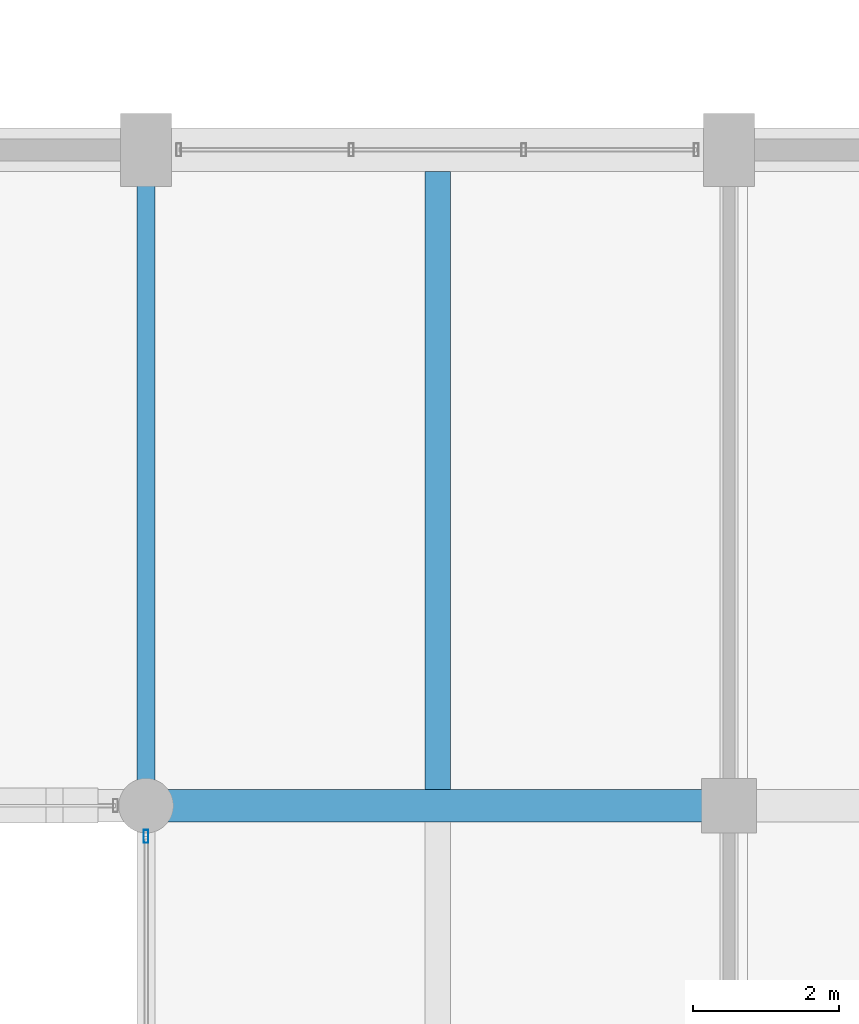
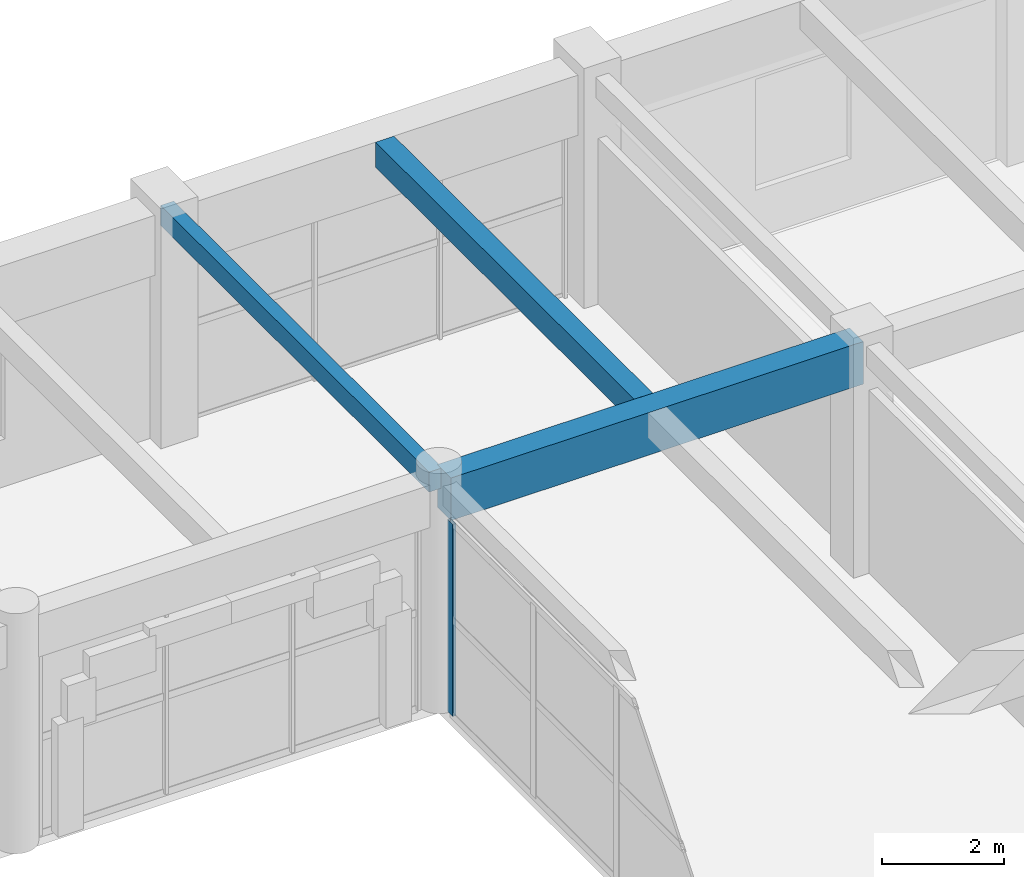
# One storey, part 81 of 144: 3 beams, 1 member, 1 element without a shape of its own.
"""IFC4 building model written with IfcOpenShell, lengths in metres."""

import ifcopenshell
import ifcopenshell.guid

model = None  # the IFC model being written
_history = None  # IfcOwnerHistory: only IFC2X3 demands one
_inside = {}  # id of a spatial element -> (the spatial element, [elements in it])
_under = {}  # id of a project, library or spatial element -> (it, [spatial elements below it])
_declared = {}  # id of a project -> (the project, [libraries it declares])
_typed = {}  # id of a type object -> (the type object, [elements of that type])
_made_of = {}  # id of a material, layer set ... -> (it, [elements and type objects made of it])


def new_model(schema):
    """Start an empty IFC model of exactly this schema.

    Asked for "IFC4X3", IfcOpenShell would pick the latest addendum, in which some entities
    have other attributes; the version numbers below select the first issue.
    IFC2X3 requires an IfcOwnerHistory on every rooted entity: one is made here for all.
    """
    global model, _history
    if schema == "IFC4X3":
        model = ifcopenshell.file(schema_version=(4, 3, 0, 0))
    else:
        model = ifcopenshell.file(schema=schema)
    _inside.clear()
    _under.clear()
    _declared.clear()
    _typed.clear()
    _made_of.clear()
    _history = None
    if model.schema == "IFC2X3":
        org = make("IfcOrganization", Name="unknown")
        user = make(
            "IfcPersonAndOrganization",
            ThePerson=make("IfcPerson", FamilyName="unknown"),
            TheOrganization=org,
        )
        app = make(
            "IfcApplication",
            ApplicationDeveloper=org,
            Version="unknown",
            ApplicationFullName="unknown",
            ApplicationIdentifier="unknown",
        )
        _history = make(
            "IfcOwnerHistory",
            OwningUser=user,
            OwningApplication=app,
            ChangeAction="ADDED",
            CreationDate=0,
        )
    return model


def make(cls, **values):
    """One entity of the class cls with the attributes given. An attribute that is None is left unset."""
    return model.create_entity(
        cls, **{name: value for name, value in values.items() if value is not None}
    )


def rooted(cls, **values):
    """An entity with a GlobalId (a new one), such as an element, a storey or a relation."""
    return make(cls, GlobalId=ifcopenshell.guid.new(), OwnerHistory=_history, **values)


def si_unit(unit_type, name, prefix=None):
    """IfcSIUnit, for example si_unit("LENGTHUNIT", "METRE", prefix="MILLI")."""
    return make("IfcSIUnit", UnitType=unit_type, Prefix=prefix, Name=name)


def assignment(units):
    """IfcUnitAssignment: the units of a project."""
    return None if units is None else make("IfcUnitAssignment", Units=units)


def point(xyz):
    """IfcCartesianPoint."""
    return None if xyz is None else make("IfcCartesianPoint", Coordinates=xyz)


def direction(xyz):
    """IfcDirection."""
    return None if xyz is None else make("IfcDirection", DirectionRatios=xyz)


def frame(location, z_axis=None, x_axis=None):
    """IfcAxis2Placement3D, a coordinate frame: its origin and axes. An axis left out is left unset."""
    return make(
        "IfcAxis2Placement3D",
        Location=point(location),
        Axis=direction(z_axis),
        RefDirection=direction(x_axis),
    )


def frame_2d(location, x_axis=None):
    """IfcAxis2Placement2D, a coordinate frame in the plane: its origin and x axis."""
    return make(
        "IfcAxis2Placement2D", Location=point(location), RefDirection=direction(x_axis)
    )


def origin():
    """The frame at (0, 0, 0) with its axes left unset."""
    return frame((0.0, 0.0, 0.0))


def origin_2d():
    """The frame at (0, 0) in the plane with its x axis left unset."""
    return frame_2d((0.0, 0.0))


def place(relative_to, where):
    """IfcLocalPlacement: puts the frame where relative to a parent placement (None: the world)."""
    return make(
        "IfcLocalPlacement", PlacementRelTo=relative_to, RelativePlacement=where
    )


def context(
    kind, dimensions, precision=None, world=None, true_north=None, identifier=None
):
    """IfcGeometricRepresentationContext, for example the 3D "Model" context."""
    return make(
        "IfcGeometricRepresentationContext",
        ContextIdentifier=identifier,
        ContextType=kind,
        CoordinateSpaceDimension=dimensions,
        Precision=precision,
        WorldCoordinateSystem=world,
        TrueNorth=true_north,
    )


def subcontext(parent, identifier, kind, view, scale=None):
    """IfcGeometricRepresentationSubContext, for example "Body" below "Model"."""
    return make(
        "IfcGeometricRepresentationSubContext",
        ContextIdentifier=identifier,
        ContextType=kind,
        ParentContext=parent,
        TargetScale=scale,
        TargetView=view,
    )


def project(units=None, contexts=None):
    """IfcProject with its units and contexts."""
    return rooted(
        "IfcProject",
        Name="project",
        RepresentationContexts=contexts,
        UnitsInContext=assignment(units),
    )


def spatial(cls, under=None, at=None, **own):
    """A site, building, storey or space (cls), placed at a placement, below another one or the project."""
    s = rooted(cls, ObjectPlacement=at, **own)
    if under is not None:
        _under.setdefault(under.id(), (under, []))[1].append(s)
    return s


def profile(cls, at=None, kind="AREA", **sizes):
    """A parametric profile (cls). Its sizes go by their IFC names, for example OverallWidth=200.0."""
    return make(cls, ProfileType=kind, Position=at, **sizes)


def rectangle(**sizes):
    """IfcRectangleProfileDef."""
    return profile("IfcRectangleProfileDef", **sizes)


def hollow_rectangle(**sizes):
    """IfcRectangleHollowProfileDef."""
    return profile("IfcRectangleHollowProfileDef", **sizes)


def extrude(swept, where, along, depth):
    """IfcExtrudedAreaSolid: the profile swept, set in the frame where, extruded along a direction by depth."""
    return make(
        "IfcExtrudedAreaSolid",
        SweptArea=swept,
        Position=where,
        ExtrudedDirection=direction(along),
        Depth=depth,
    )


def shape(context_of_items, identifier, shape_type, items):
    """IfcShapeRepresentation: the items that make up one representation, for example the "Body"."""
    return make(
        "IfcShapeRepresentation",
        ContextOfItems=context_of_items,
        RepresentationIdentifier=identifier,
        RepresentationType=shape_type,
        Items=items,
    )


def material(Name=None, Category=None):
    """IfcMaterial."""
    return make("IfcMaterial", Name=Name, Category=Category)


def material_profile(
    of_material, cross_section, Name=None, Category=None, Priority=None
):
    """IfcMaterialProfile: a cross section and its material."""
    return make(
        "IfcMaterialProfile",
        Name=Name,
        Material=of_material,
        Profile=cross_section,
        Priority=Priority,
        Category=Category,
    )


def profile_set(profiles, Name=None, composite=None):
    """IfcMaterialProfileSet."""
    return make(
        "IfcMaterialProfileSet",
        Name=Name,
        MaterialProfiles=profiles,
        CompositeProfile=composite,
    )


def made_of(thing, what):
    """Note that an element or type object is made of a material, layer set ...; save() writes the relation."""
    if what is not None:
        _made_of.setdefault(what.id(), (what, []))[1].append(thing)
    return thing


def type_object(cls, material=None, **own):
    """A type object (cls), such as IfcWallType, which elements share."""
    return made_of(rooted(cls, **own), material)


def element(
    cls,
    number,
    at=None,
    inside=None,
    cuts=None,
    type_object=None,
    material=None,
    context=None,
    identifier="Body",
    shape_type=None,
    held_by="IfcProductDefinitionShape",
    body=None,
    shapes=None,
    **own,
):
    """One element of the class cls, such as IfcWall. Its Tag is "e" and its number.

    at: its placement. inside: the storey or other place that contains it. cuts: it is an
    opening in that element (IfcRelVoidsElement). A single representation is given by context,
    identifier, shape_type and body (its items); several are given by shapes. held_by: the class
    of the entity that holds the representations. save() writes the other relations.
    """
    e = rooted(cls, Tag="e%d" % number, ObjectPlacement=at, **own)
    if body is not None:
        shapes = [shape(context, identifier, shape_type, body)]
    if shapes is not None:
        e.Representation = make(held_by, Representations=shapes)
    if inside is not None:
        _inside.setdefault(inside.id(), (inside, []))[1].append(e)
    if cuts is not None:
        rooted(
            "IfcRelVoidsElement", RelatingBuildingElement=cuts, RelatedOpeningElement=e
        )
    if type_object is not None:
        _typed.setdefault(type_object.id(), (type_object, []))[1].append(e)
    return made_of(e, material)


def aggregate(whole, parts):
    """IfcRelAggregates: a whole, such as a stair, and the parts it consists of."""
    return rooted("IfcRelAggregates", RelatingObject=whole, RelatedObjects=parts)


def save(model, path):
    """Write the relations noted so far, then the file.

    IfcRelAggregates (storeys below a building ...), IfcRelContainedInSpatialStructure (elements
    in a storey), IfcRelDefinesByType, IfcRelAssociatesMaterial and IfcRelDeclares: one each for
    every whole, place, type object, material and project.
    """
    for whole, parts in _under.values():
        aggregate(whole, parts)
    for where, things in _inside.values():
        rooted(
            "IfcRelContainedInSpatialStructure",
            RelatedElements=things,
            RelatingStructure=where,
        )
    for kind, things in _typed.values():
        rooted("IfcRelDefinesByType", RelatedObjects=things, RelatingType=kind)
    for what, things in _made_of.values():
        rooted("IfcRelAssociatesMaterial", RelatedObjects=things, RelatingMaterial=what)
    for by, libraries in _declared.values():
        rooted("IfcRelDeclares", RelatingContext=by, RelatedDefinitions=libraries)
    model.write(path)


model = new_model("IFC4")

# Units and contexts
model_context = context("Model", 3, precision=1e-05, world=origin(), true_north=direction((0.0, 1.0)))
body_context = subcontext(model_context, "Body", "Model", "MODEL_VIEW")
ifc_project = project(units=[si_unit("LENGTHUNIT", "METRE"), si_unit("AREAUNIT", "SQUARE_METRE"), si_unit("VOLUMEUNIT", "CUBIC_METRE"), si_unit("PLANEANGLEUNIT", "RADIAN"), si_unit("MASSUNIT", "GRAM", prefix="KILO")], contexts=[model_context])

# Site, building, storey
site_placement = place(None, origin())
site = spatial("IfcSite", under=ifc_project, at=site_placement, CompositionType="ELEMENT")
building_placement = place(site_placement, origin())
building = spatial("IfcBuilding", under=site, at=building_placement, Name="Varnabhumi Central Station", CompositionType="ELEMENT")
storey_placement = place(building_placement, frame((0.0, 0.0, 4.800048828125)))
storey = spatial("IfcBuildingStorey", under=building, at=storey_placement, Name="L01", CompositionType="ELEMENT", Elevation=4.800048828125)

# Beams
ifc_material_1 = material(Name="Concrete M35", Category="concrete")
ifc_material_profile_1 = material_profile(ifc_material_1, rectangle(XDim=0.25, YDim=0.39990234375, at=origin_2d()), Name="Concrete M35", Category="concrete")
ifc_profile_set_1 = profile_set([ifc_material_profile_1], Name="Concrete M35")
beam_type_1 = type_object("IfcBeamType", Name="BM-RC-250x400", PredefinedType="LINTEL", material=ifc_profile_set_1)
beam_1_placement = place(storey_placement, frame((144.0, 27.10009765625, 4.349853515625), z_axis=(0.0, 1.0, 0.0), x_axis=(-1.0, 0.0, 0.0)))
element("IfcBeam", 1, at=beam_1_placement, inside=storey, type_object=beam_type_1, Name="Beam L01-19:D-E", PredefinedType="LINTEL", context=body_context, shape_type="SweptSolid", body=[
    extrude(rectangle(XDim=0.25, YDim=0.39990234375, at=origin_2d()), origin(), (0.0, 0.0, 1.0), 8.7998046875),
])
ifc_material_2 = material(Name="Concrete M40", Category="concrete")
ifc_material_profile_2 = material_profile(ifc_material_2, rectangle(XDim=0.35009765625, YDim=0.5, at=origin_2d()), Name="Concrete M40", Category="concrete")
ifc_profile_set_2 = profile_set([ifc_material_profile_2], Name="Concrete M40")
beam_type_2 = type_object("IfcBeamType", Name="BM-RC-350x500", PredefinedType="JOIST", material=ifc_profile_set_2)
beam_2_placement = place(storey_placement, frame((148.0, 27.22509765625, 4.300048828125), z_axis=(0.0, 1.0, 0.0), x_axis=(-1.0, 0.0, 0.0)))
element("IfcBeam", 2, at=beam_2_placement, inside=storey, type_object=beam_type_2, Name="Secondary Joist L01-19/20:D-E", PredefinedType="JOIST", context=body_context, shape_type="SweptSolid", body=[
    extrude(rectangle(XDim=0.35009765625, YDim=0.5, at=origin_2d()), origin(), (0.0, 0.0, 1.0), 8.474853515625),
])
ifc_material_profile_3 = material_profile(ifc_material_2, rectangle(XDim=0.449951171875, YDim=0.85009765625, at=origin_2d()), Name="Concrete M40", Category="concrete")
ifc_profile_set_3 = profile_set([ifc_material_profile_3], Name="Concrete M40")
beam_type_3 = type_object("IfcBeamType", Name="BM-RC-450x850", PredefinedType="BEAM", material=ifc_profile_set_3)
beam_3_placement = place(storey_placement, frame((144.10009765625, 27.0, 4.125), z_axis=(1.0, 0.0, 0.0), x_axis=(0.0, 1.0, 0.0)))
element("IfcBeam", 3, at=beam_3_placement, inside=storey, type_object=beam_type_3, Name="Beam L01-D:19-20", PredefinedType="BEAM", context=body_context, shape_type="SweptSolid", body=[
    extrude(rectangle(XDim=0.449951171875, YDim=0.85009765625, at=origin_2d()), origin(), (0.0, 0.0, 1.0), 7.7998046875),
])

# Curtain wall, member
ifc_material_3 = material(Name="Anodised aluminium 6063-T6", Category="aluminium")
curtain_wall_type = type_object("IfcCurtainWallType", Name="CW-PATIO-LOGGIA-L1", PredefinedType="NOTDEFINED", material=ifc_material_3)
curtain_wall_placement = place(storey_placement, origin())
curtain_wall = element("IfcCurtainWall", 4, at=curtain_wall_placement, inside=storey, type_object=curtain_wall_type, Name="Curtain Wall CW-SP1W2", PredefinedType="NOTDEFINED")
ifc_material_profile_4 = material_profile(ifc_material_3, hollow_rectangle(XDim=0.06494140625, YDim=0.179931640625, WallThickness=0.00390625, InnerFilletRadius=0.001953125, OuterFilletRadius=0.006103515625, at=origin_2d()), Name="Anodised aluminium 6063-T6", Category="aluminium")
ifc_profile_set_4 = profile_set([ifc_material_profile_4], Name="Anodised aluminium 6063-T6")
member_type = type_object("IfcMemberType", Name="CW-MUL-180", PredefinedType="MULLION", material=ifc_profile_set_4)
member_placement = place(storey_placement, frame((144.0, 26.580078125, 0.0), z_axis=(0.0, 0.0, 1.0), x_axis=(1.0, 0.0, 0.0)))
member = element("IfcMember", 5, at=member_placement, type_object=member_type, Name="Curtain Wall Mullion CW-SP1W2-M4", PredefinedType="MULLION", context=body_context, shape_type="SweptSolid", body=[
    extrude(hollow_rectangle(XDim=0.06494140625, YDim=0.179931640625, WallThickness=0.00390625, InnerFilletRadius=0.001953125, OuterFilletRadius=0.006103515625, at=origin_2d()), origin(), (0.0, 0.0, 1.0), 3.83984375),
])
aggregate(curtain_wall, [member])

save(model, "model.ifc")
